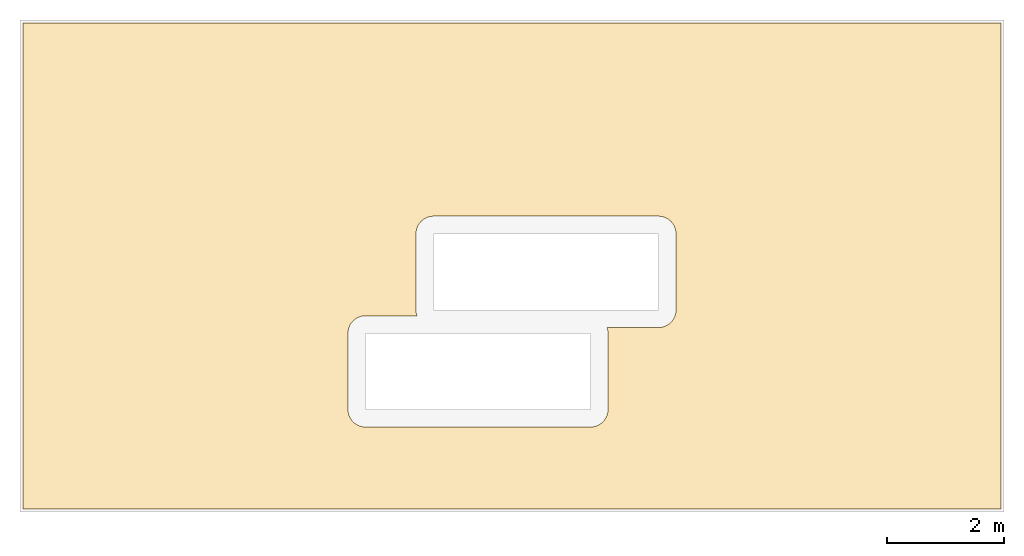
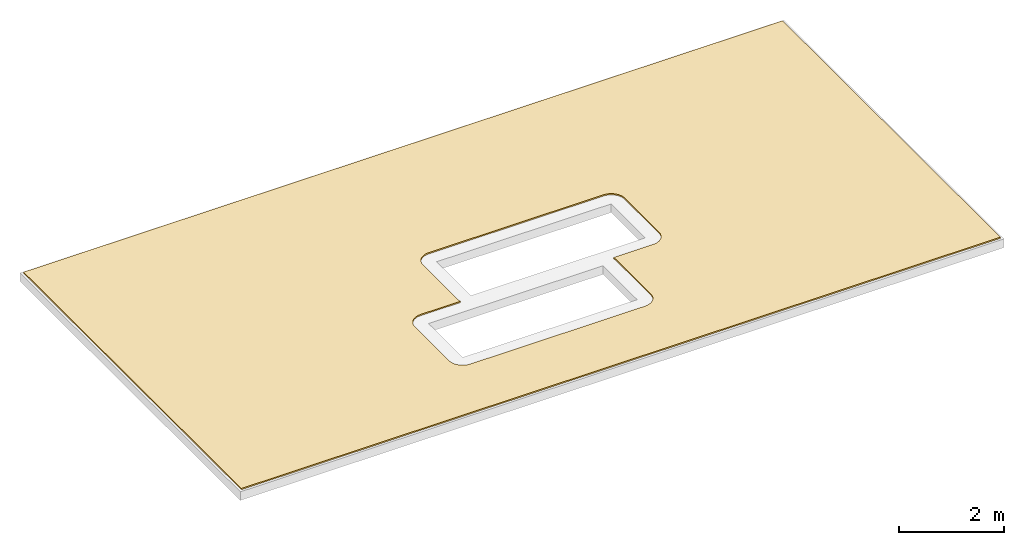
# One storey, part 2 of 2: 1 covering.
"""IFC4 building model written with IfcOpenShell, lengths in metres."""

from ifc_helpers import new_model, si_unit, direction, frame, origin, place, context, subcontext, project, spatial, polyline, outline, extrude, material, layer, layer_set, type_object, element, save


model = new_model("IFC4")

# Units and contexts
model_context = context("Model", 3, precision=1e-05, world=origin(), true_north=direction((0.0, 1.0)))
body_context = subcontext(model_context, "Body", "Model", "MODEL_VIEW")
ifc_project = project(units=[si_unit("LENGTHUNIT", "METRE"), si_unit("AREAUNIT", "SQUARE_METRE"), si_unit("VOLUMEUNIT", "CUBIC_METRE"), si_unit("PLANEANGLEUNIT", "RADIAN"), si_unit("MASSUNIT", "GRAM", prefix="KILO")], contexts=[model_context])

# Site, building, storey
site_placement = place(None, origin())
site = spatial("IfcSite", under=ifc_project, at=site_placement, CompositionType="ELEMENT")
building_placement = place(site_placement, origin())
building = spatial("IfcBuilding", under=site, at=building_placement, Name="Galleria Vessillo Department Store", CompositionType="ELEMENT")
storey_placement = place(building_placement, frame((0.0, 0.0, 75.199951171875)))
storey = spatial("IfcBuildingStorey", under=building, at=storey_placement, Name="UPPER ROOF", CompositionType="ELEMENT", Elevation=75.199951171875)

# Covering
ifc_material = material(Name="Zinc standing-seam sheet")
ifc_layer = layer(ifc_material, 0.030029296875)
ifc_layer_set = layer_set([ifc_layer], Name="Zinc standing-seam sheet")
covering_type = type_object("IfcCoveringType", Name="Zinc standing-seam roof covering 30 mm", PredefinedType="ROOFING", material=ifc_layer_set)
covering_placement = place(storey_placement, origin())
element("IfcCovering", 1, at=covering_placement, inside=storey, type_object=covering_type, Name="Roof covering L15-HEADHOUSE-ROOF", PredefinedType="ROOFING", context=body_context, shape_type="SweptSolid", body=[
    extrude(outline(polyline([(100.85009765625, 62.949951171875), (117.550048828125, 62.949951171875), (117.550048828125, 54.650146484375), (100.85009765625, 54.650146484375), (100.85009765625, 62.949951171875)]), holes=[polyline([(110.59765625, 56.055908203125), (110.626220703125, 56.06298828125), (110.65380859375, 56.072998046875), (110.680419921875, 56.08544921875), (110.705810546875, 56.1005859375), (110.7294921875, 56.1181640625), (110.751220703125, 56.137939453125), (110.77099609375, 56.15966796875), (110.78857421875, 56.183349609375), (110.8037109375, 56.208740234375), (110.816162109375, 56.2353515625), (110.826171875, 56.262939453125), (110.833251953125, 56.29150390625), (110.837646484375, 56.32080078125), (110.839111328125, 56.35009765625), (110.839111328125, 57.64990234375), (110.837646484375, 57.67919921875), (110.833251953125, 57.70849609375), (110.826171875, 57.737060546875), (110.821533203125, 57.75), (111.700439453125, 57.75), (111.729736328125, 57.75146484375), (111.759033203125, 57.755859375), (111.78759765625, 57.762939453125), (111.815185546875, 57.77294921875), (111.841796875, 57.785400390625), (111.8671875, 57.800537109375), (111.890869140625, 57.818115234375), (111.91259765625, 57.837890625), (111.932373046875, 57.859619140625), (111.949951171875, 57.88330078125), (111.965087890625, 57.90869140625), (111.9775390625, 57.935302734375), (111.987548828125, 57.962890625), (111.99462890625, 57.991455078125), (111.9990234375, 58.020751953125), (112.00048828125, 58.050048828125), (112.00048828125, 59.35009765625), (111.9990234375, 59.37939453125), (111.99462890625, 59.40869140625), (111.987548828125, 59.437255859375), (111.9775390625, 59.46484375), (111.965087890625, 59.491455078125), (111.949951171875, 59.516845703125), (111.932373046875, 59.54052734375), (111.91259765625, 59.562255859375), (111.890869140625, 59.58203125), (111.8671875, 59.599609375), (111.841796875, 59.61474609375), (111.815185546875, 59.627197265625), (111.78759765625, 59.63720703125), (111.759033203125, 59.644287109375), (111.729736328125, 59.648681640625), (111.700439453125, 59.650146484375), (107.86083984375, 59.650146484375), (107.83154296875, 59.648681640625), (107.80224609375, 59.644287109375), (107.773681640625, 59.63720703125), (107.74609375, 59.627197265625), (107.719482421875, 59.61474609375), (107.694091796875, 59.599609375), (107.67041015625, 59.58203125), (107.648681640625, 59.562255859375), (107.62890625, 59.54052734375), (107.611328125, 59.516845703125), (107.59619140625, 59.491455078125), (107.583740234375, 59.46484375), (107.57373046875, 59.437255859375), (107.566650390625, 59.40869140625), (107.562255859375, 59.37939453125), (107.560791015625, 59.35009765625), (107.560791015625, 58.050048828125), (107.562255859375, 58.020751953125), (107.566650390625, 57.991455078125), (107.57373046875, 57.962890625), (107.578369140625, 57.949951171875), (106.699462890625, 57.949951171875), (106.670166015625, 57.948486328125), (106.640869140625, 57.944091796875), (106.6123046875, 57.93701171875), (106.584716796875, 57.927001953125), (106.55810546875, 57.91455078125), (106.53271484375, 57.8994140625), (106.509033203125, 57.8818359375), (106.4873046875, 57.862060546875), (106.467529296875, 57.84033203125), (106.449951171875, 57.816650390625), (106.434814453125, 57.791259765625), (106.42236328125, 57.7646484375), (106.412353515625, 57.737060546875), (106.4052734375, 57.70849609375), (106.40087890625, 57.67919921875), (106.3994140625, 57.64990234375), (106.3994140625, 56.35009765625), (106.40087890625, 56.32080078125), (106.4052734375, 56.29150390625), (106.412353515625, 56.262939453125), (106.42236328125, 56.2353515625), (106.434814453125, 56.208740234375), (106.449951171875, 56.183349609375), (106.467529296875, 56.15966796875), (106.4873046875, 56.137939453125), (106.509033203125, 56.1181640625), (106.53271484375, 56.1005859375), (106.55810546875, 56.08544921875), (106.584716796875, 56.072998046875), (106.6123046875, 56.06298828125), (106.640869140625, 56.055908203125), (106.670166015625, 56.051513671875), (106.699462890625, 56.050048828125), (110.5390625, 56.050048828125), (110.568359375, 56.051513671875), (110.59765625, 56.055908203125)])]), origin(), (0.0, 0.0, 1.0), 0.030029296875),
])

save(model, "model.ifc")
